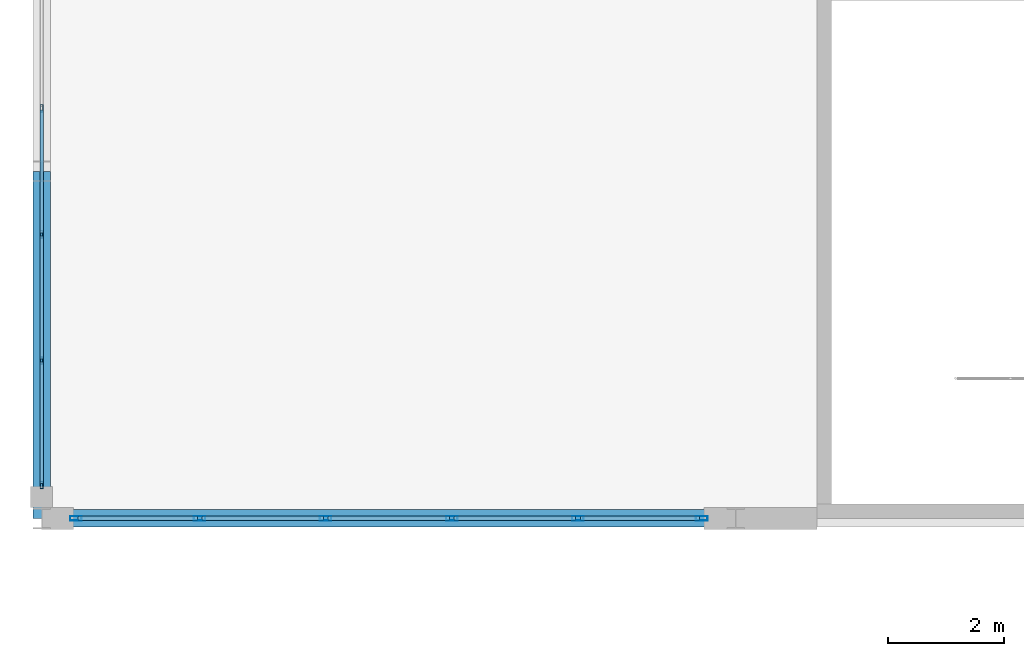
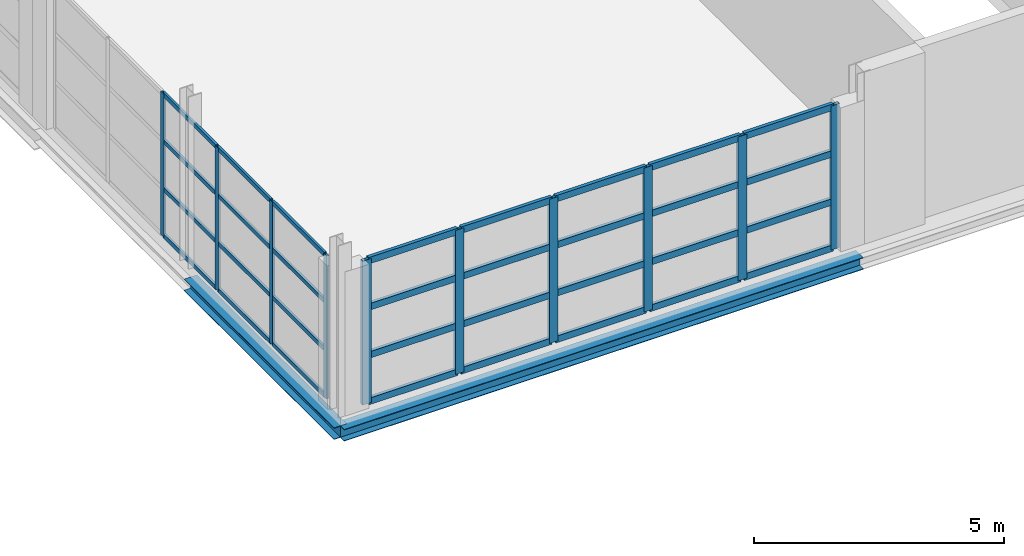
# One storey, part 28 of 147: 42 members, 2 beams, 2 elements without a shape of their own.
"""IFC4 building model written with IfcOpenShell, lengths in metres."""

from ifc_helpers import new_model, si_unit, direction, frame, origin, origin_2d, place, context, subcontext, project, spatial, hollow_rectangle, i_section, extrude, material, layer, layer_set, material_profile, profile_set, type_object, element, aggregate, save


model = new_model("IFC4")

# Units and contexts
model_context = context("Model", 3, precision=1e-05, world=origin(), true_north=direction((0.0, 1.0)))
body_context = subcontext(model_context, "Body", "Model", "MODEL_VIEW")
ifc_project = project(units=[si_unit("LENGTHUNIT", "METRE"), si_unit("AREAUNIT", "SQUARE_METRE"), si_unit("VOLUMEUNIT", "CUBIC_METRE"), si_unit("PLANEANGLEUNIT", "RADIAN"), si_unit("MASSUNIT", "GRAM", prefix="KILO")], contexts=[model_context])

# Site, building, storey
site_placement = place(None, origin())
site = spatial("IfcSite", under=ifc_project, at=site_placement, CompositionType="ELEMENT")
building_placement = place(site_placement, origin())
building = spatial("IfcBuilding", under=site, at=building_placement, Name="Zilviju Railside Exhibition Hall", CompositionType="ELEMENT")
storey_placement = place(building_placement, frame((0.0, 0.0, 8.39990234375)))
storey = spatial("IfcBuildingStorey", under=building, at=storey_placement, Name="L03", CompositionType="ELEMENT", Elevation=8.39990234375)

# Beams
ifc_material_1 = material(Name="Steel S355J2", Category="steel")
ifc_material_profile_1 = material_profile(ifc_material_1, i_section(OverallWidth=0.300048828125, OverallDepth=0.2900390625, WebThickness=0.008544921875, FlangeThickness=0.013916015625, at=origin_2d()), Name="HEA 300")
ifc_profile_set_1 = profile_set([ifc_material_profile_1], Name="Steel S355J2")
beam_type = type_object("IfcBeamType", Name="BM-HEA300", PredefinedType="SPANDREL", material=ifc_profile_set_1)
beam_1_placement = place(storey_placement, frame((0.0, 36.0, -0.494873046875), z_axis=(1.0, 0.0, 0.0), x_axis=(0.0, 1.0, 0.0)))
element("IfcBeam", 1, at=beam_1_placement, inside=storey, type_object=beam_type, Name="Primary Girder L03 Y=36.0 (0.0..12.0)", PredefinedType="SPANDREL", context=body_context, shape_type="SweptSolid", body=[
    extrude(i_section(OverallWidth=0.300048828125, OverallDepth=0.2900390625, WebThickness=0.008544921875, FlangeThickness=0.013916015625, at=origin_2d()), origin(), (0.0, 0.0, 1.0), 12.0),
])
beam_2_placement = place(storey_placement, frame((0.0, 36.0, -0.494873046875), z_axis=(0.0, 1.0, 0.0), x_axis=(-1.0, 0.0, 0.0)))
element("IfcBeam", 2, at=beam_2_placement, inside=storey, type_object=beam_type, Name="Transverse Girder L03 X=0.0 (36.0..42.0)", PredefinedType="SPANDREL", context=body_context, shape_type="SweptSolid", body=[
    extrude(i_section(OverallWidth=0.300048828125, OverallDepth=0.2900390625, WebThickness=0.008544921875, FlangeThickness=0.013916015625, at=origin_2d()), origin(), (0.0, 0.0, 1.0), 6.0),
])

# Curtain wall, members
ifc_material_2 = material(Name="Thermally broken aluminium-steel triple-glazed curtain wall", Category="steel")
ifc_layer_1 = layer(ifc_material_2, 0.179931640625)
ifc_layer_set_1 = layer_set([ifc_layer_1], Name="Thermally broken aluminium-steel triple-glazed curtain wall")
curtain_wall_type_1 = type_object("IfcCurtainWallType", Name="CW-BAY-02", PredefinedType="USERDEFINED", material=ifc_layer_set_1)
curtain_wall_1_placement = place(storey_placement, origin())
curtain_wall_1 = element("IfcCurtainWall", 3, at=curtain_wall_1_placement, inside=storey, type_object=curtain_wall_type_1, Name="Congress Crush Foyer Boulevard Curtain Wall L03 (36..48)", ObjectType="GLAZED CURTAIN WALL", PredefinedType="USERDEFINED")
ifc_material_3 = material(Name="Thermally broken anodized aluminium mullion", Category="aluminium")
ifc_material_profile_2 = material_profile(ifc_material_3, hollow_rectangle(XDim=0.054931640625, YDim=0.1298828125, WallThickness=0.0048828125, at=origin_2d()), Name="MULLION 130x55x5")
ifc_profile_set_2 = profile_set([ifc_material_profile_2], Name="Thermally broken anodized aluminium mullion")
member_type_1 = type_object("IfcMemberType", Name="CWM-55x130", PredefinedType="MULLION", material=ifc_profile_set_2)
member_1_placement = place(storey_placement, frame((0.0, 36.577392578125, 0.0), z_axis=(0.0, 0.0, 1.0), x_axis=(-1.0, 0.0, 0.0)))
member_1 = element("IfcMember", 4, at=member_1_placement, type_object=member_type_1, Name="CW-02 mullion 1", PredefinedType="MULLION", context=body_context, shape_type="SweptSolid", body=[
    extrude(hollow_rectangle(XDim=0.054931640625, YDim=0.1298828125, WallThickness=0.0048828125, at=origin_2d()), origin(), (0.0, 0.0, 1.0), 3.5),
])
member_2_placement = place(storey_placement, frame((0.0, 38.72998046875, 0.0), z_axis=(0.0, 0.0, 1.0), x_axis=(-1.0, 0.0, 0.0)))
member_2 = element("IfcMember", 5, at=member_2_placement, type_object=member_type_1, Name="CW-02 mullion 2", PredefinedType="MULLION", context=body_context, shape_type="SweptSolid", body=[
    extrude(hollow_rectangle(XDim=0.054931640625, YDim=0.1298828125, WallThickness=0.0048828125, at=origin_2d()), origin(), (0.0, 0.0, 1.0), 3.5),
])
member_3_placement = place(storey_placement, frame((0.0, 40.909912109375, 0.0), z_axis=(0.0, 0.0, 1.0), x_axis=(-1.0, 0.0, 0.0)))
member_3 = element("IfcMember", 6, at=member_3_placement, type_object=member_type_1, Name="CW-02 mullion 3", PredefinedType="MULLION", context=body_context, shape_type="SweptSolid", body=[
    extrude(hollow_rectangle(XDim=0.054931640625, YDim=0.1298828125, WallThickness=0.0048828125, at=origin_2d()), origin(), (0.0, 0.0, 1.0), 3.5),
])
member_4_placement = place(storey_placement, frame((0.0, 43.090087890625, 0.0), z_axis=(0.0, 0.0, 1.0), x_axis=(-1.0, 0.0, 0.0)))
member_4 = element("IfcMember", 7, at=member_4_placement, type_object=member_type_1, Name="CW-02 mullion 4", PredefinedType="MULLION", context=body_context, shape_type="SweptSolid", body=[
    extrude(hollow_rectangle(XDim=0.054931640625, YDim=0.1298828125, WallThickness=0.0048828125, at=origin_2d()), origin(), (0.0, 0.0, 1.0), 3.5),
])

ifc_layer_2 = layer(ifc_material_2, 0.179931640625)
ifc_layer_set_2 = layer_set([ifc_layer_2], Name="Thermally broken aluminium-steel triple-glazed curtain wall")
curtain_wall_type_2 = type_object("IfcCurtainWallType", Name="CW-BAY-20", PredefinedType="USERDEFINED", material=ifc_layer_set_2)
curtain_wall_2_placement = place(storey_placement, origin())
curtain_wall_2 = element("IfcCurtainWall", 8, at=curtain_wall_2_placement, inside=storey, type_object=curtain_wall_type_2, Name="Congress Forecourt Curtain Wall L03 (0..12)", ObjectType="GLAZED CURTAIN WALL", PredefinedType="USERDEFINED")
ifc_material_profile_3 = material_profile(ifc_material_3, hollow_rectangle(XDim=0.080078125, YDim=0.199951171875, WallThickness=0.0048828125, at=origin_2d()), Name="MULLION 200x80x5")
ifc_profile_set_3 = profile_set([ifc_material_profile_3], Name="Thermally broken anodized aluminium mullion")
member_type_2 = type_object("IfcMemberType", Name="CWM-80x200", PredefinedType="MULLION", material=ifc_profile_set_3)
member_5_placement = place(storey_placement, frame((11.409912109375, 36.0, 0.0), z_axis=(0.0, 0.0, 1.0), x_axis=(0.0, -1.0, 0.0)))
member_5 = element("IfcMember", 9, at=member_5_placement, type_object=member_type_2, Name="CW-20 mullion 1", PredefinedType="MULLION", context=body_context, shape_type="SweptSolid", body=[
    extrude(hollow_rectangle(XDim=0.080078125, YDim=0.199951171875, WallThickness=0.0048828125, at=origin_2d()), origin(), (0.0, 0.0, 1.0), 3.52001953125),
])
member_6_placement = place(storey_placement, frame((9.27001953125, 36.0, 0.0), z_axis=(0.0, 0.0, 1.0), x_axis=(0.0, -1.0, 0.0)))
member_6 = element("IfcMember", 10, at=member_6_placement, type_object=member_type_2, Name="CW-20 mullion 2", PredefinedType="MULLION", context=body_context, shape_type="SweptSolid", body=[
    extrude(hollow_rectangle(XDim=0.080078125, YDim=0.199951171875, WallThickness=0.0048828125, at=origin_2d()), origin(), (0.0, 0.0, 1.0), 3.52001953125),
])
member_7_placement = place(storey_placement, frame((7.090087890625, 36.0, 0.0), z_axis=(0.0, 0.0, 1.0), x_axis=(0.0, -1.0, 0.0)))
member_7 = element("IfcMember", 11, at=member_7_placement, type_object=member_type_2, Name="CW-20 mullion 3", PredefinedType="MULLION", context=body_context, shape_type="SweptSolid", body=[
    extrude(hollow_rectangle(XDim=0.080078125, YDim=0.199951171875, WallThickness=0.0048828125, at=origin_2d()), origin(), (0.0, 0.0, 1.0), 3.52001953125),
])
member_8_placement = place(storey_placement, frame((4.909912109375, 36.0, 0.0), z_axis=(0.0, 0.0, 1.0), x_axis=(0.0, -1.0, 0.0)))
member_8 = element("IfcMember", 12, at=member_8_placement, type_object=member_type_2, Name="CW-20 mullion 4", PredefinedType="MULLION", context=body_context, shape_type="SweptSolid", body=[
    extrude(hollow_rectangle(XDim=0.080078125, YDim=0.199951171875, WallThickness=0.0048828125, at=origin_2d()), origin(), (0.0, 0.0, 1.0), 3.52001953125),
])
member_9_placement = place(storey_placement, frame((2.72998046875, 36.0, 0.0), z_axis=(0.0, 0.0, 1.0), x_axis=(0.0, -1.0, 0.0)))
member_9 = element("IfcMember", 13, at=member_9_placement, type_object=member_type_2, Name="CW-20 mullion 5", PredefinedType="MULLION", context=body_context, shape_type="SweptSolid", body=[
    extrude(hollow_rectangle(XDim=0.080078125, YDim=0.199951171875, WallThickness=0.0048828125, at=origin_2d()), origin(), (0.0, 0.0, 1.0), 3.52001953125),
])
member_10_placement = place(storey_placement, frame((0.590087890625, 36.0, 0.0), z_axis=(0.0, 0.0, 1.0), x_axis=(0.0, -1.0, 0.0)))
member_10 = element("IfcMember", 14, at=member_10_placement, type_object=member_type_2, Name="CW-20 mullion 6", PredefinedType="MULLION", context=body_context, shape_type="SweptSolid", body=[
    extrude(hollow_rectangle(XDim=0.080078125, YDim=0.199951171875, WallThickness=0.0048828125, at=origin_2d()), origin(), (0.0, 0.0, 1.0), 3.52001953125),
])

# Member
ifc_material_4 = material(Name="Thermally broken anodized aluminium transom", Category="aluminium")
ifc_material_profile_4 = material_profile(ifc_material_4, hollow_rectangle(XDim=0.054931640625, YDim=0.10498046875, WallThickness=0.0048828125, at=origin_2d()), Name="TRANSOM 105x55x5")
ifc_profile_set_4 = profile_set([ifc_material_profile_4], Name="Thermally broken anodized aluminium transom")
member_type_3 = type_object("IfcMemberType", Name="CWT-55x105", PredefinedType="USERDEFINED", material=ifc_profile_set_4)
member_11_placement = place(storey_placement, frame((0.0, 36.60498046875, 0.027587890625), z_axis=(0.0, 1.0, 0.0), x_axis=(-1.0, 0.0, 0.0)))
member_11 = element("IfcMember", 15, at=member_11_placement, type_object=member_type_3, Name="CW-02 transom 1.1", ObjectType="TRANSOM", PredefinedType="USERDEFINED", context=body_context, shape_type="SweptSolid", body=[
    extrude(hollow_rectangle(XDim=0.054931640625, YDim=0.10498046875, WallThickness=0.0048828125, at=origin_2d()), origin(), (0.0, 0.0, 1.0), 2.097412109375),
])

member_12_placement = place(storey_placement, frame((0.0, 36.60498046875, 1.1669921875), z_axis=(0.0, 1.0, 0.0), x_axis=(-1.0, 0.0, 0.0)))
member_12 = element("IfcMember", 16, at=member_12_placement, type_object=member_type_3, Name="CW-02 transom 1.2", ObjectType="TRANSOM", PredefinedType="USERDEFINED", context=body_context, shape_type="SweptSolid", body=[
    extrude(hollow_rectangle(XDim=0.054931640625, YDim=0.10498046875, WallThickness=0.0048828125, at=origin_2d()), origin(), (0.0, 0.0, 1.0), 2.097412109375),
])

member_13_placement = place(storey_placement, frame((0.0, 36.60498046875, 2.3330078125), z_axis=(0.0, 1.0, 0.0), x_axis=(-1.0, 0.0, 0.0)))
member_13 = element("IfcMember", 17, at=member_13_placement, type_object=member_type_3, Name="CW-02 transom 1.3", ObjectType="TRANSOM", PredefinedType="USERDEFINED", context=body_context, shape_type="SweptSolid", body=[
    extrude(hollow_rectangle(XDim=0.054931640625, YDim=0.10498046875, WallThickness=0.0048828125, at=origin_2d()), origin(), (0.0, 0.0, 1.0), 2.097412109375),
])

member_14_placement = place(storey_placement, frame((0.0, 36.60498046875, 3.47265625), z_axis=(0.0, 1.0, 0.0), x_axis=(-1.0, 0.0, 0.0)))
member_14 = element("IfcMember", 18, at=member_14_placement, type_object=member_type_3, Name="CW-02 transom 1.4", ObjectType="TRANSOM", PredefinedType="USERDEFINED", context=body_context, shape_type="SweptSolid", body=[
    extrude(hollow_rectangle(XDim=0.054931640625, YDim=0.10498046875, WallThickness=0.0048828125, at=origin_2d()), origin(), (0.0, 0.0, 1.0), 2.097412109375),
])

member_15_placement = place(storey_placement, frame((0.0, 38.757568359375, 0.027587890625), z_axis=(0.0, 1.0, 0.0), x_axis=(-1.0, 0.0, 0.0)))
member_15 = element("IfcMember", 19, at=member_15_placement, type_object=member_type_3, Name="CW-02 transom 2.1", ObjectType="TRANSOM", PredefinedType="USERDEFINED", context=body_context, shape_type="SweptSolid", body=[
    extrude(hollow_rectangle(XDim=0.054931640625, YDim=0.10498046875, WallThickness=0.0048828125, at=origin_2d()), origin(), (0.0, 0.0, 1.0), 2.125),
])

member_16_placement = place(storey_placement, frame((0.0, 38.757568359375, 1.1669921875), z_axis=(0.0, 1.0, 0.0), x_axis=(-1.0, 0.0, 0.0)))
member_16 = element("IfcMember", 20, at=member_16_placement, type_object=member_type_3, Name="CW-02 transom 2.2", ObjectType="TRANSOM", PredefinedType="USERDEFINED", context=body_context, shape_type="SweptSolid", body=[
    extrude(hollow_rectangle(XDim=0.054931640625, YDim=0.10498046875, WallThickness=0.0048828125, at=origin_2d()), origin(), (0.0, 0.0, 1.0), 2.125),
])

member_17_placement = place(storey_placement, frame((0.0, 38.757568359375, 2.3330078125), z_axis=(0.0, 1.0, 0.0), x_axis=(-1.0, 0.0, 0.0)))
member_17 = element("IfcMember", 21, at=member_17_placement, type_object=member_type_3, Name="CW-02 transom 2.3", ObjectType="TRANSOM", PredefinedType="USERDEFINED", context=body_context, shape_type="SweptSolid", body=[
    extrude(hollow_rectangle(XDim=0.054931640625, YDim=0.10498046875, WallThickness=0.0048828125, at=origin_2d()), origin(), (0.0, 0.0, 1.0), 2.125),
])

member_18_placement = place(storey_placement, frame((0.0, 38.757568359375, 3.47265625), z_axis=(0.0, 1.0, 0.0), x_axis=(-1.0, 0.0, 0.0)))
member_18 = element("IfcMember", 22, at=member_18_placement, type_object=member_type_3, Name="CW-02 transom 2.4", ObjectType="TRANSOM", PredefinedType="USERDEFINED", context=body_context, shape_type="SweptSolid", body=[
    extrude(hollow_rectangle(XDim=0.054931640625, YDim=0.10498046875, WallThickness=0.0048828125, at=origin_2d()), origin(), (0.0, 0.0, 1.0), 2.125),
])

member_19_placement = place(storey_placement, frame((0.0, 40.9375, 0.027587890625), z_axis=(0.0, 1.0, 0.0), x_axis=(-1.0, 0.0, 0.0)))
member_19 = element("IfcMember", 23, at=member_19_placement, type_object=member_type_3, Name="CW-02 transom 3.1", ObjectType="TRANSOM", PredefinedType="USERDEFINED", context=body_context, shape_type="SweptSolid", body=[
    extrude(hollow_rectangle(XDim=0.054931640625, YDim=0.10498046875, WallThickness=0.0048828125, at=origin_2d()), origin(), (0.0, 0.0, 1.0), 2.125),
])

member_20_placement = place(storey_placement, frame((0.0, 40.9375, 1.1669921875), z_axis=(0.0, 1.0, 0.0), x_axis=(-1.0, 0.0, 0.0)))
member_20 = element("IfcMember", 24, at=member_20_placement, type_object=member_type_3, Name="CW-02 transom 3.2", ObjectType="TRANSOM", PredefinedType="USERDEFINED", context=body_context, shape_type="SweptSolid", body=[
    extrude(hollow_rectangle(XDim=0.054931640625, YDim=0.10498046875, WallThickness=0.0048828125, at=origin_2d()), origin(), (0.0, 0.0, 1.0), 2.125),
])

member_21_placement = place(storey_placement, frame((0.0, 40.9375, 2.3330078125), z_axis=(0.0, 1.0, 0.0), x_axis=(-1.0, 0.0, 0.0)))
member_21 = element("IfcMember", 25, at=member_21_placement, type_object=member_type_3, Name="CW-02 transom 3.3", ObjectType="TRANSOM", PredefinedType="USERDEFINED", context=body_context, shape_type="SweptSolid", body=[
    extrude(hollow_rectangle(XDim=0.054931640625, YDim=0.10498046875, WallThickness=0.0048828125, at=origin_2d()), origin(), (0.0, 0.0, 1.0), 2.125),
])

member_22_placement = place(storey_placement, frame((0.0, 40.9375, 3.47265625), z_axis=(0.0, 1.0, 0.0), x_axis=(-1.0, 0.0, 0.0)))
member_22 = element("IfcMember", 26, at=member_22_placement, type_object=member_type_3, Name="CW-02 transom 3.4", ObjectType="TRANSOM", PredefinedType="USERDEFINED", context=body_context, shape_type="SweptSolid", body=[
    extrude(hollow_rectangle(XDim=0.054931640625, YDim=0.10498046875, WallThickness=0.0048828125, at=origin_2d()), origin(), (0.0, 0.0, 1.0), 2.125),
])

aggregate(curtain_wall_1, [member_1, member_2, member_3, member_4, member_11, member_12, member_13, member_14, member_15, member_16, member_17, member_18, member_19, member_20, member_21, member_22])

ifc_material_profile_5 = material_profile(ifc_material_4, hollow_rectangle(XDim=0.080078125, YDim=0.159912109375, WallThickness=0.0048828125, at=origin_2d()), Name="TRANSOM 160x80x5")
ifc_profile_set_5 = profile_set([ifc_material_profile_5], Name="Thermally broken anodized aluminium transom")
member_type_4 = type_object("IfcMemberType", Name="CWT-80x160", PredefinedType="USERDEFINED", material=ifc_profile_set_5)
member_23_placement = place(storey_placement, frame((11.3701171875, 36.0, 0.0400390625), z_axis=(-1.0, 0.0, 0.0), x_axis=(0.0, -1.0, 0.0)))
member_23 = element("IfcMember", 27, at=member_23_placement, type_object=member_type_4, Name="CW-20 transom 1.1", ObjectType="TRANSOM", PredefinedType="USERDEFINED", context=body_context, shape_type="SweptSolid", body=[
    extrude(hollow_rectangle(XDim=0.080078125, YDim=0.159912109375, WallThickness=0.0048828125, at=origin_2d()), origin(), (0.0, 0.0, 1.0), 2.06005859375),
])

member_24_placement = place(storey_placement, frame((11.3701171875, 36.0, 1.173095703125), z_axis=(-1.0, 0.0, 0.0), x_axis=(0.0, -1.0, 0.0)))
member_24 = element("IfcMember", 28, at=member_24_placement, type_object=member_type_4, Name="CW-20 transom 1.2", ObjectType="TRANSOM", PredefinedType="USERDEFINED", context=body_context, shape_type="SweptSolid", body=[
    extrude(hollow_rectangle(XDim=0.080078125, YDim=0.159912109375, WallThickness=0.0048828125, at=origin_2d()), origin(), (0.0, 0.0, 1.0), 2.06005859375),
])

member_25_placement = place(storey_placement, frame((11.3701171875, 36.0, 2.34716796875), z_axis=(-1.0, 0.0, 0.0), x_axis=(0.0, -1.0, 0.0)))
member_25 = element("IfcMember", 29, at=member_25_placement, type_object=member_type_4, Name="CW-20 transom 1.3", ObjectType="TRANSOM", PredefinedType="USERDEFINED", context=body_context, shape_type="SweptSolid", body=[
    extrude(hollow_rectangle(XDim=0.080078125, YDim=0.159912109375, WallThickness=0.0048828125, at=origin_2d()), origin(), (0.0, 0.0, 1.0), 2.06005859375),
])

member_26_placement = place(storey_placement, frame((11.3701171875, 36.0, 3.47998046875), z_axis=(-1.0, 0.0, 0.0), x_axis=(0.0, -1.0, 0.0)))
member_26 = element("IfcMember", 30, at=member_26_placement, type_object=member_type_4, Name="CW-20 transom 1.4", ObjectType="TRANSOM", PredefinedType="USERDEFINED", context=body_context, shape_type="SweptSolid", body=[
    extrude(hollow_rectangle(XDim=0.080078125, YDim=0.159912109375, WallThickness=0.0048828125, at=origin_2d()), origin(), (0.0, 0.0, 1.0), 2.06005859375),
])

member_27_placement = place(storey_placement, frame((9.22998046875, 36.0, 0.0400390625), z_axis=(-1.0, 0.0, 0.0), x_axis=(0.0, -1.0, 0.0)))
member_27 = element("IfcMember", 31, at=member_27_placement, type_object=member_type_4, Name="CW-20 transom 2.1", ObjectType="TRANSOM", PredefinedType="USERDEFINED", context=body_context, shape_type="SweptSolid", body=[
    extrude(hollow_rectangle(XDim=0.080078125, YDim=0.159912109375, WallThickness=0.0048828125, at=origin_2d()), origin(), (0.0, 0.0, 1.0), 2.10009765625),
])

member_28_placement = place(storey_placement, frame((9.22998046875, 36.0, 1.173095703125), z_axis=(-1.0, 0.0, 0.0), x_axis=(0.0, -1.0, 0.0)))
member_28 = element("IfcMember", 32, at=member_28_placement, type_object=member_type_4, Name="CW-20 transom 2.2", ObjectType="TRANSOM", PredefinedType="USERDEFINED", context=body_context, shape_type="SweptSolid", body=[
    extrude(hollow_rectangle(XDim=0.080078125, YDim=0.159912109375, WallThickness=0.0048828125, at=origin_2d()), origin(), (0.0, 0.0, 1.0), 2.10009765625),
])

member_29_placement = place(storey_placement, frame((9.22998046875, 36.0, 2.34716796875), z_axis=(-1.0, 0.0, 0.0), x_axis=(0.0, -1.0, 0.0)))
member_29 = element("IfcMember", 33, at=member_29_placement, type_object=member_type_4, Name="CW-20 transom 2.3", ObjectType="TRANSOM", PredefinedType="USERDEFINED", context=body_context, shape_type="SweptSolid", body=[
    extrude(hollow_rectangle(XDim=0.080078125, YDim=0.159912109375, WallThickness=0.0048828125, at=origin_2d()), origin(), (0.0, 0.0, 1.0), 2.10009765625),
])

member_30_placement = place(storey_placement, frame((9.22998046875, 36.0, 3.47998046875), z_axis=(-1.0, 0.0, 0.0), x_axis=(0.0, -1.0, 0.0)))
member_30 = element("IfcMember", 34, at=member_30_placement, type_object=member_type_4, Name="CW-20 transom 2.4", ObjectType="TRANSOM", PredefinedType="USERDEFINED", context=body_context, shape_type="SweptSolid", body=[
    extrude(hollow_rectangle(XDim=0.080078125, YDim=0.159912109375, WallThickness=0.0048828125, at=origin_2d()), origin(), (0.0, 0.0, 1.0), 2.10009765625),
])

member_31_placement = place(storey_placement, frame((7.050048828125, 36.0, 0.0400390625), z_axis=(-1.0, 0.0, 0.0), x_axis=(0.0, -1.0, 0.0)))
member_31 = element("IfcMember", 35, at=member_31_placement, type_object=member_type_4, Name="CW-20 transom 3.1", ObjectType="TRANSOM", PredefinedType="USERDEFINED", context=body_context, shape_type="SweptSolid", body=[
    extrude(hollow_rectangle(XDim=0.080078125, YDim=0.159912109375, WallThickness=0.0048828125, at=origin_2d()), origin(), (0.0, 0.0, 1.0), 2.10009765625),
])

member_32_placement = place(storey_placement, frame((7.050048828125, 36.0, 1.173095703125), z_axis=(-1.0, 0.0, 0.0), x_axis=(0.0, -1.0, 0.0)))
member_32 = element("IfcMember", 36, at=member_32_placement, type_object=member_type_4, Name="CW-20 transom 3.2", ObjectType="TRANSOM", PredefinedType="USERDEFINED", context=body_context, shape_type="SweptSolid", body=[
    extrude(hollow_rectangle(XDim=0.080078125, YDim=0.159912109375, WallThickness=0.0048828125, at=origin_2d()), origin(), (0.0, 0.0, 1.0), 2.10009765625),
])

member_33_placement = place(storey_placement, frame((7.050048828125, 36.0, 2.34716796875), z_axis=(-1.0, 0.0, 0.0), x_axis=(0.0, -1.0, 0.0)))
member_33 = element("IfcMember", 37, at=member_33_placement, type_object=member_type_4, Name="CW-20 transom 3.3", ObjectType="TRANSOM", PredefinedType="USERDEFINED", context=body_context, shape_type="SweptSolid", body=[
    extrude(hollow_rectangle(XDim=0.080078125, YDim=0.159912109375, WallThickness=0.0048828125, at=origin_2d()), origin(), (0.0, 0.0, 1.0), 2.10009765625),
])

member_34_placement = place(storey_placement, frame((7.050048828125, 36.0, 3.47998046875), z_axis=(-1.0, 0.0, 0.0), x_axis=(0.0, -1.0, 0.0)))
member_34 = element("IfcMember", 38, at=member_34_placement, type_object=member_type_4, Name="CW-20 transom 3.4", ObjectType="TRANSOM", PredefinedType="USERDEFINED", context=body_context, shape_type="SweptSolid", body=[
    extrude(hollow_rectangle(XDim=0.080078125, YDim=0.159912109375, WallThickness=0.0048828125, at=origin_2d()), origin(), (0.0, 0.0, 1.0), 2.10009765625),
])

member_35_placement = place(storey_placement, frame((4.8701171875, 36.0, 0.0400390625), z_axis=(-1.0, 0.0, 0.0), x_axis=(0.0, -1.0, 0.0)))
member_35 = element("IfcMember", 39, at=member_35_placement, type_object=member_type_4, Name="CW-20 transom 4.1", ObjectType="TRANSOM", PredefinedType="USERDEFINED", context=body_context, shape_type="SweptSolid", body=[
    extrude(hollow_rectangle(XDim=0.080078125, YDim=0.159912109375, WallThickness=0.0048828125, at=origin_2d()), origin(), (0.0, 0.0, 1.0), 2.10009765625),
])

member_36_placement = place(storey_placement, frame((4.8701171875, 36.0, 1.173095703125), z_axis=(-1.0, 0.0, 0.0), x_axis=(0.0, -1.0, 0.0)))
member_36 = element("IfcMember", 40, at=member_36_placement, type_object=member_type_4, Name="CW-20 transom 4.2", ObjectType="TRANSOM", PredefinedType="USERDEFINED", context=body_context, shape_type="SweptSolid", body=[
    extrude(hollow_rectangle(XDim=0.080078125, YDim=0.159912109375, WallThickness=0.0048828125, at=origin_2d()), origin(), (0.0, 0.0, 1.0), 2.10009765625),
])

member_37_placement = place(storey_placement, frame((4.8701171875, 36.0, 2.34716796875), z_axis=(-1.0, 0.0, 0.0), x_axis=(0.0, -1.0, 0.0)))
member_37 = element("IfcMember", 41, at=member_37_placement, type_object=member_type_4, Name="CW-20 transom 4.3", ObjectType="TRANSOM", PredefinedType="USERDEFINED", context=body_context, shape_type="SweptSolid", body=[
    extrude(hollow_rectangle(XDim=0.080078125, YDim=0.159912109375, WallThickness=0.0048828125, at=origin_2d()), origin(), (0.0, 0.0, 1.0), 2.10009765625),
])

member_38_placement = place(storey_placement, frame((4.8701171875, 36.0, 3.47998046875), z_axis=(-1.0, 0.0, 0.0), x_axis=(0.0, -1.0, 0.0)))
member_38 = element("IfcMember", 42, at=member_38_placement, type_object=member_type_4, Name="CW-20 transom 4.4", ObjectType="TRANSOM", PredefinedType="USERDEFINED", context=body_context, shape_type="SweptSolid", body=[
    extrude(hollow_rectangle(XDim=0.080078125, YDim=0.159912109375, WallThickness=0.0048828125, at=origin_2d()), origin(), (0.0, 0.0, 1.0), 2.10009765625),
])

member_39_placement = place(storey_placement, frame((2.68994140625, 36.0, 0.0400390625), z_axis=(-1.0, 0.0, 0.0), x_axis=(0.0, -1.0, 0.0)))
member_39 = element("IfcMember", 43, at=member_39_placement, type_object=member_type_4, Name="CW-20 transom 5.1", ObjectType="TRANSOM", PredefinedType="USERDEFINED", context=body_context, shape_type="SweptSolid", body=[
    extrude(hollow_rectangle(XDim=0.080078125, YDim=0.159912109375, WallThickness=0.0048828125, at=origin_2d()), origin(), (0.0, 0.0, 1.0), 2.06005859375),
])

member_40_placement = place(storey_placement, frame((2.68994140625, 36.0, 1.173095703125), z_axis=(-1.0, 0.0, 0.0), x_axis=(0.0, -1.0, 0.0)))
member_40 = element("IfcMember", 44, at=member_40_placement, type_object=member_type_4, Name="CW-20 transom 5.2", ObjectType="TRANSOM", PredefinedType="USERDEFINED", context=body_context, shape_type="SweptSolid", body=[
    extrude(hollow_rectangle(XDim=0.080078125, YDim=0.159912109375, WallThickness=0.0048828125, at=origin_2d()), origin(), (0.0, 0.0, 1.0), 2.06005859375),
])

member_41_placement = place(storey_placement, frame((2.68994140625, 36.0, 2.34716796875), z_axis=(-1.0, 0.0, 0.0), x_axis=(0.0, -1.0, 0.0)))
member_41 = element("IfcMember", 45, at=member_41_placement, type_object=member_type_4, Name="CW-20 transom 5.3", ObjectType="TRANSOM", PredefinedType="USERDEFINED", context=body_context, shape_type="SweptSolid", body=[
    extrude(hollow_rectangle(XDim=0.080078125, YDim=0.159912109375, WallThickness=0.0048828125, at=origin_2d()), origin(), (0.0, 0.0, 1.0), 2.06005859375),
])

member_42_placement = place(storey_placement, frame((2.68994140625, 36.0, 3.47998046875), z_axis=(-1.0, 0.0, 0.0), x_axis=(0.0, -1.0, 0.0)))
member_42 = element("IfcMember", 46, at=member_42_placement, type_object=member_type_4, Name="CW-20 transom 5.4", ObjectType="TRANSOM", PredefinedType="USERDEFINED", context=body_context, shape_type="SweptSolid", body=[
    extrude(hollow_rectangle(XDim=0.080078125, YDim=0.159912109375, WallThickness=0.0048828125, at=origin_2d()), origin(), (0.0, 0.0, 1.0), 2.06005859375),
])

aggregate(curtain_wall_2, [member_5, member_6, member_7, member_8, member_9, member_10, member_23, member_24, member_25, member_26, member_27, member_28, member_29, member_30, member_31, member_32, member_33, member_34, member_35, member_36, member_37, member_38, member_39, member_40, member_41, member_42])

save(model, "model.ifc")
